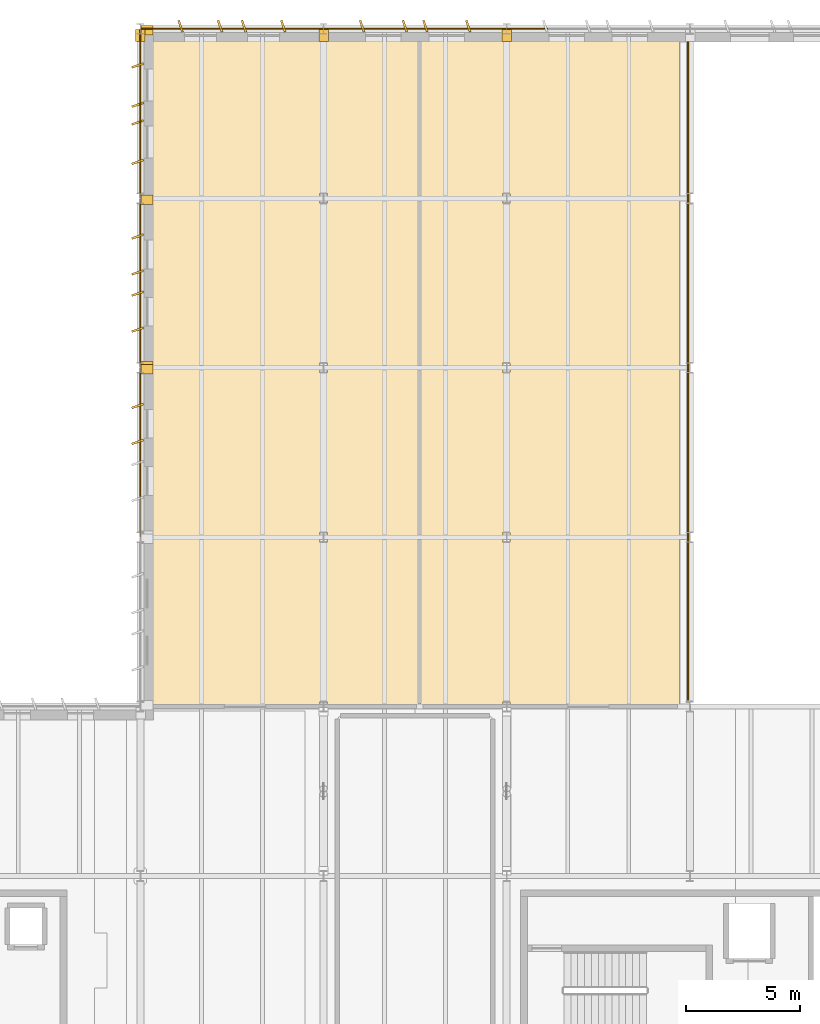
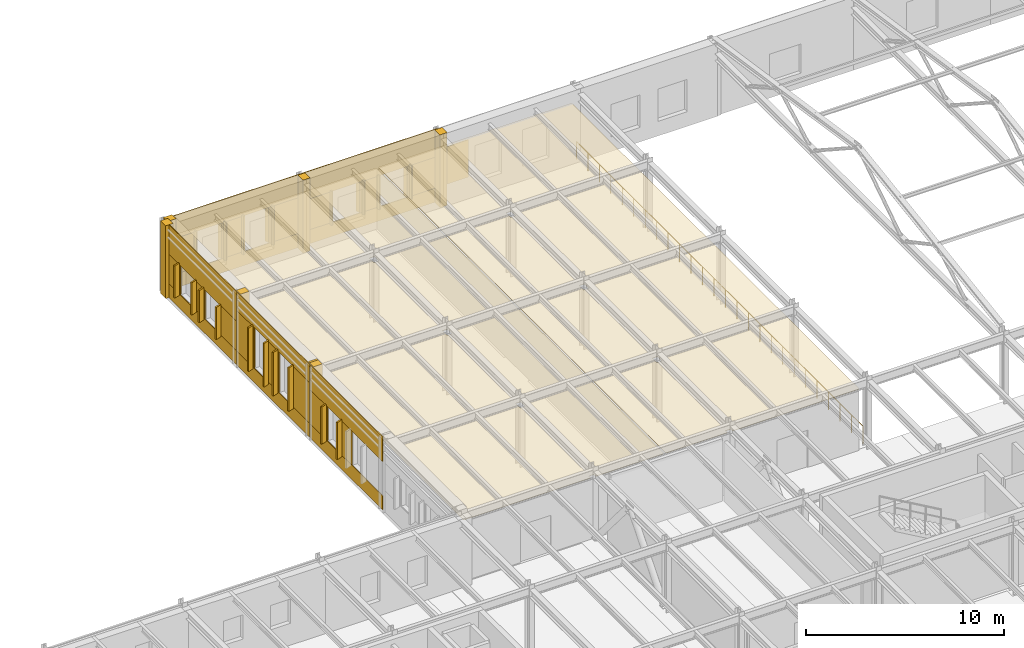
# One storey, part 69 of 75: 52 coverings, 1 railing.
"""IFC4 building model written with IfcOpenShell, lengths in metres."""

from ifc_helpers import new_model, si_unit, direction, frame, frame_2d, origin, origin_2d, place, context, subcontext, project, spatial, polyline, rectangle, circle, outline, extrude, material, layer, layer_set, type_object, element, save


model = new_model("IFC4")

# Units and contexts
model_context = context("Model", 3, precision=1e-05, world=origin(), true_north=direction((0.0, 1.0)))
body_context = subcontext(model_context, "Body", "Model", "MODEL_VIEW")
ifc_project = project(units=[si_unit("LENGTHUNIT", "METRE"), si_unit("AREAUNIT", "SQUARE_METRE"), si_unit("VOLUMEUNIT", "CUBIC_METRE"), si_unit("PLANEANGLEUNIT", "RADIAN"), si_unit("MASSUNIT", "GRAM", prefix="KILO")], contexts=[model_context])

# Site, building, storey
site_placement = place(None, origin())
site = spatial("IfcSite", under=ifc_project, at=site_placement, CompositionType="ELEMENT")
building_placement = place(site_placement, origin())
building = spatial("IfcBuilding", under=site, at=building_placement, Name="Valkorina Park Police Headquarters", CompositionType="ELEMENT")
storey_placement = place(building_placement, frame((0.0, 0.0, 5.39990234375)))
storey = spatial("IfcBuildingStorey", under=building, at=storey_placement, Name="L02", CompositionType="ELEMENT", Elevation=5.39990234375)

# Coverings
ifc_material_1 = material(Name="Acoustic mineral board")
ifc_layer_1 = layer(ifc_material_1, 0.02490234375)
ifc_layer_set_1 = layer_set([ifc_layer_1], Name="Acoustic mineral board")
covering_type_1 = type_object("IfcCoveringType", Name="COV-CEILING-ACOUST", PredefinedType="CEILING", material=ifc_layer_set_1)
covering_1_placement = place(storey_placement, frame((0.0, 0.0, 3.6650390625)))
element("IfcCovering", 1, at=covering_1_placement, inside=storey, type_object=covering_type_1, Name="Patrol Shift Briefing Auditorium 1 Acoustic Suspended Ceiling", PredefinedType="CEILING", context=body_context, shape_type="SweptSolid", body=[
    extrude(outline(polyline([(108.95849609375, 81.50439453125), (108.959716796875, 81.51220703125), (108.9599609375, 81.52001953125), (108.9599609375, 110.47998046875), (108.959716796875, 110.48779296875), (108.95849609375, 110.49560546875), (108.95654296875, 110.503173828125), (108.953857421875, 110.510498046875), (108.95068359375, 110.517578125), (108.946533203125, 110.5244140625), (108.94189453125, 110.53076171875), (108.9365234375, 110.53662109375), (108.930908203125, 110.541748046875), (108.92431640625, 110.54638671875), (108.917724609375, 110.550537109375), (108.91064453125, 110.553955078125), (108.9033203125, 110.556640625), (108.8955078125, 110.55859375), (108.8876953125, 110.5595703125), (108.8798828125, 110.56005859375), (97.320068359375, 110.56005859375), (97.312255859375, 110.5595703125), (97.304443359375, 110.55859375), (97.296875, 110.556640625), (97.289306640625, 110.553955078125), (97.2822265625, 110.550537109375), (97.275634765625, 110.54638671875), (97.269287109375, 110.541748046875), (97.263427734375, 110.53662109375), (97.25830078125, 110.53076171875), (97.25341796875, 110.5244140625), (97.24951171875, 110.517578125), (97.24609375, 110.510498046875), (97.243408203125, 110.503173828125), (97.241455078125, 110.49560546875), (97.240478515625, 110.48779296875), (97.239990234375, 110.47998046875), (97.239990234375, 81.52001953125), (97.240478515625, 81.51220703125), (97.241455078125, 81.50439453125), (97.243408203125, 81.496826171875), (97.24609375, 81.489501953125), (97.24951171875, 81.482421875), (97.25341796875, 81.4755859375), (97.25830078125, 81.46923828125), (97.263427734375, 81.46337890625), (97.269287109375, 81.458251953125), (97.275634765625, 81.45361328125), (97.2822265625, 81.449462890625), (97.289306640625, 81.446044921875), (97.296875, 81.443359375), (97.304443359375, 81.44140625), (97.312255859375, 81.4404296875), (97.320068359375, 81.43994140625), (104.610107421875, 81.43994140625), (104.617919921875, 81.4404296875), (104.62548828125, 81.44140625), (104.63330078125, 81.443359375), (104.640625, 81.446044921875), (104.647705078125, 81.449462890625), (104.64990234375, 81.45068359375), (104.64990234375, 81.625), (104.949951171875, 81.625), (104.949951171875, 81.45068359375), (104.952392578125, 81.449462890625), (104.95947265625, 81.446044921875), (104.966796875, 81.443359375), (104.974365234375, 81.44140625), (104.982177734375, 81.4404296875), (104.989990234375, 81.43994140625), (108.8798828125, 81.43994140625), (108.8876953125, 81.4404296875), (108.8955078125, 81.44140625), (108.9033203125, 81.443359375), (108.91064453125, 81.446044921875), (108.917724609375, 81.449462890625), (108.92431640625, 81.45361328125), (108.930908203125, 81.458251953125), (108.9365234375, 81.46337890625), (108.94189453125, 81.46923828125), (108.946533203125, 81.4755859375), (108.95068359375, 81.482421875), (108.953857421875, 81.489501953125), (108.95654296875, 81.496826171875), (108.95849609375, 81.50439453125)]), holes=[polyline([(104.949951171875, 95.97509765625), (104.64990234375, 95.97509765625), (104.64990234375, 96.425048828125), (104.949951171875, 96.425048828125), (104.949951171875, 95.97509765625)]), polyline([(104.949951171875, 88.574951171875), (104.64990234375, 88.574951171875), (104.64990234375, 89.02490234375), (104.949951171875, 89.02490234375), (104.949951171875, 88.574951171875)]), polyline([(104.949951171875, 103.375), (104.64990234375, 103.375), (104.64990234375, 103.824951171875), (104.949951171875, 103.824951171875), (104.949951171875, 103.375)])]), origin(), (0.0, 0.0, 1.0), 0.025146484375),
])
covering_2_placement = place(storey_placement, frame((0.0, 0.0, 3.6650390625)))
element("IfcCovering", 2, at=covering_2_placement, inside=storey, type_object=covering_type_1, Name="Patrol Shift Briefing Auditorium 2 Acoustic Suspended Ceiling", PredefinedType="CEILING", context=body_context, shape_type="SweptSolid", body=[
    extrude(outline(polyline([(120.3583984375, 81.50439453125), (120.359619140625, 81.51220703125), (120.360107421875, 81.52001953125), (120.360107421875, 110.47998046875), (120.359619140625, 110.48779296875), (120.3583984375, 110.49560546875), (120.356689453125, 110.503173828125), (120.35400390625, 110.510498046875), (120.3505859375, 110.517578125), (120.346435546875, 110.5244140625), (120.341796875, 110.53076171875), (120.336669921875, 110.53662109375), (120.330810546875, 110.541748046875), (120.324462890625, 110.54638671875), (120.317626953125, 110.550537109375), (120.310546875, 110.553955078125), (120.30322265625, 110.556640625), (120.295654296875, 110.55859375), (120.287841796875, 110.5595703125), (120.280029296875, 110.56005859375), (109.1201171875, 110.56005859375), (109.1123046875, 110.5595703125), (109.1044921875, 110.55859375), (109.0966796875, 110.556640625), (109.08935546875, 110.553955078125), (109.082275390625, 110.550537109375), (109.07568359375, 110.54638671875), (109.069091796875, 110.541748046875), (109.0634765625, 110.53662109375), (109.05810546875, 110.53076171875), (109.053466796875, 110.5244140625), (109.04931640625, 110.517578125), (109.046142578125, 110.510498046875), (109.04345703125, 110.503173828125), (109.04150390625, 110.49560546875), (109.040283203125, 110.48779296875), (109.0400390625, 110.47998046875), (109.0400390625, 81.52001953125), (109.040283203125, 81.51220703125), (109.04150390625, 81.50439453125), (109.04345703125, 81.496826171875), (109.046142578125, 81.489501953125), (109.04931640625, 81.482421875), (109.053466796875, 81.4755859375), (109.05810546875, 81.46923828125), (109.0634765625, 81.46337890625), (109.069091796875, 81.458251953125), (109.07568359375, 81.45361328125), (109.082275390625, 81.449462890625), (109.08935546875, 81.446044921875), (109.0966796875, 81.443359375), (109.1044921875, 81.44140625), (109.1123046875, 81.4404296875), (109.1201171875, 81.43994140625), (112.610107421875, 81.43994140625), (112.617919921875, 81.4404296875), (112.62548828125, 81.44140625), (112.63330078125, 81.443359375), (112.640625, 81.446044921875), (112.647705078125, 81.449462890625), (112.64990234375, 81.45068359375), (112.64990234375, 81.625), (112.949951171875, 81.625), (112.949951171875, 81.45068359375), (112.952392578125, 81.449462890625), (112.95947265625, 81.446044921875), (112.966796875, 81.443359375), (112.974365234375, 81.44140625), (112.982177734375, 81.4404296875), (112.989990234375, 81.43994140625), (120.280029296875, 81.43994140625), (120.287841796875, 81.4404296875), (120.295654296875, 81.44140625), (120.30322265625, 81.443359375), (120.310546875, 81.446044921875), (120.317626953125, 81.449462890625), (120.324462890625, 81.45361328125), (120.330810546875, 81.458251953125), (120.336669921875, 81.46337890625), (120.341796875, 81.46923828125), (120.346435546875, 81.4755859375), (120.3505859375, 81.482421875), (120.35400390625, 81.489501953125), (120.356689453125, 81.496826171875), (120.3583984375, 81.50439453125)]), holes=[polyline([(112.949951171875, 103.824951171875), (112.949951171875, 103.375), (112.64990234375, 103.375), (112.64990234375, 103.824951171875), (112.949951171875, 103.824951171875)]), polyline([(112.949951171875, 88.574951171875), (112.64990234375, 88.574951171875), (112.64990234375, 89.02490234375), (112.949951171875, 89.02490234375), (112.949951171875, 88.574951171875)]), polyline([(112.949951171875, 95.97509765625), (112.64990234375, 95.97509765625), (112.64990234375, 96.425048828125), (112.949951171875, 96.425048828125), (112.949951171875, 95.97509765625)])]), origin(), (0.0, 0.0, 1.0), 0.025146484375),
])
ifc_material_2 = material(Name="Precast concrete C40/50", Category="concrete")
ifc_layer_2 = layer(ifc_material_2, 0.044921875)
ifc_layer_set_2 = layer_set([ifc_layer_2], Name="Precast concrete C40/50")
covering_type_2 = type_object("IfcCoveringType", Name="COV-CLAD-DOLOMITE", PredefinedType="CLADDING", material=ifc_layer_set_2)
covering_3_placement = place(storey_placement, frame((97.090087890625, 96.135009765625, 0.0), z_axis=(0.0, 0.0, 1.0), x_axis=(0.0, 1.0, 0.0)))
element("IfcCovering", 3, at=covering_3_placement, inside=storey, type_object=covering_type_2, Name="L02 Exterior Joint Closure Pilaster B 1304", PredefinedType="CLADDING", context=body_context, shape_type="SweptSolid", body=[
    extrude(rectangle(XDim=0.419921875, YDim=0.52197265625, at=origin_2d()), origin(), (0.0, 0.0, 1.0), 4.5),
])
for number, where, z_axis, x_axis, name in (
    (4, (96.679931640625, 92.96240234375, 0.780029296875), (0.0, 0.0, 1.0), (-0.948323655206, -0.317304656405, 0.0), "Slanted 18.5-deg Precast Window Slot Fin 1307"),
    (5, (96.679931640625, 94.532470703125, 0.780029296875), (0.0, 0.0, 1.0), (-0.948323655206, -0.317304656405, 0.0), "Slanted 18.5-deg Precast Window Slot Fin 1308"),
):
    element("IfcCovering", number, at=place(storey_placement, frame(where, z_axis=z_axis, x_axis=x_axis)), inside=storey, type_object=covering_type_2, Name=name, PredefinedType="CLADDING", context=body_context, shape_type="SweptSolid", body=[
        extrude(rectangle(XDim=0.5400390625, YDim=0.090087890625, at=origin_2d()), origin(), (0.0, 0.0, 1.0), 2.2900390625),
    ])
covering_4_placement = place(storey_placement, frame((96.784912109375, 88.820068359375, 0.0), z_axis=(0.0, 0.0, 1.0), x_axis=(0.0, 1.0, 0.0)))
element("IfcCovering", 6, at=covering_4_placement, inside=storey, type_object=covering_type_2, Name="L02 Calm Concrete Base Sill Spandrel 1309", PredefinedType="CLADDING", context=body_context, shape_type="SweptSolid", body=[
    extrude(rectangle(XDim=7.35986328125, YDim=0.044921875, at=frame_2d((3.679931640625, 0.0))), origin(), (0.0, 0.0, 1.0), 0.8701171875),
])
covering_5_placement = place(storey_placement, frame((96.784912109375, 88.820068359375, 2.97998046875), z_axis=(0.0, 0.0, 1.0), x_axis=(0.0, 1.0, 0.0)))
element("IfcCovering", 7, at=covering_5_placement, inside=storey, type_object=covering_type_2, Name="L02 Calm Concrete Base Lintel Spandrel 1310", PredefinedType="CLADDING", context=body_context, shape_type="SweptSolid", body=[
    extrude(rectangle(XDim=7.35986328125, YDim=0.044921875, at=frame_2d((3.679931640625, 0.0))), origin(), (0.0, 0.0, 1.0), 1.52001953125),
])
covering_6_placement = place(storey_placement, frame((96.784912109375, 91.927490234375, 0.8701171875), z_axis=(0.0, 0.0, 1.0), x_axis=(0.0, 1.0, 0.0)))
element("IfcCovering", 8, at=covering_6_placement, inside=storey, type_object=covering_type_2, Name="L02 Calm Concrete Base Slot Pier 1312", PredefinedType="CLADDING", context=body_context, shape_type="SweptSolid", body=[
    extrude(rectangle(XDim=1.14501953125, YDim=0.044921875, at=frame_2d((0.572509765625, 0.0))), origin(), (0.0, 0.0, 1.0), 2.10986328125),
])
covering_7_placement = place(storey_placement, frame((96.784912109375, 94.42236328125, 0.8701171875), z_axis=(0.0, 0.0, 1.0), x_axis=(0.0, 1.0, 0.0)))
element("IfcCovering", 9, at=covering_7_placement, inside=storey, type_object=covering_type_2, Name="L02 Calm Concrete Base Slot Pier 1313", PredefinedType="CLADDING", context=body_context, shape_type="SweptSolid", body=[
    extrude(rectangle(XDim=1.757568359375, YDim=0.044921875, at=frame_2d((0.87890625, 0.0))), origin(), (0.0, 0.0, 1.0), 2.10986328125),
])
for number, where, z_axis, x_axis, name in (
    (10, (97.090087890625, 96.264892578125, 0.0), (0.0, 0.0, 1.0), (0.0, 1.0, 0.0), "L02 Exterior Joint Closure Pilaster A 1314"),
    (11, (97.090087890625, 103.534912109375, 0.0), (0.0, 0.0, 1.0), (0.0, 1.0, 0.0), "L02 Exterior Joint Closure Pilaster B 1315"),
):
    element("IfcCovering", number, at=place(storey_placement, frame(where, z_axis=z_axis, x_axis=x_axis)), inside=storey, type_object=covering_type_2, Name=name, PredefinedType="CLADDING", context=body_context, shape_type="SweptSolid", body=[
        extrude(rectangle(XDim=0.419921875, YDim=0.52197265625, at=origin_2d()), origin(), (0.0, 0.0, 1.0), 4.5),
    ])
for number, where, z_axis, x_axis, name in (
    (12, (96.679931640625, 97.86767578125, 0.780029296875), (0.0, 0.0, 1.0), (-0.948323655206, -0.317304656405, 0.0), "Slanted 18.5-deg Precast Window Slot Fin 1316"),
    (13, (96.679931640625, 99.4375, 0.780029296875), (0.0, 0.0, 1.0), (-0.948323655206, -0.317304656405, 0.0), "Slanted 18.5-deg Precast Window Slot Fin 1317"),
    (14, (96.679931640625, 100.3623046875, 0.780029296875), (0.0, 0.0, 1.0), (-0.948323655206, -0.317304656405, 0.0), "Slanted 18.5-deg Precast Window Slot Fin 1318"),
    (15, (96.679931640625, 101.932373046875, 0.780029296875), (0.0, 0.0, 1.0), (-0.948323655206, -0.317304656405, 0.0), "Slanted 18.5-deg Precast Window Slot Fin 1319"),
):
    element("IfcCovering", number, at=place(storey_placement, frame(where, z_axis=z_axis, x_axis=x_axis)), inside=storey, type_object=covering_type_2, Name=name, PredefinedType="CLADDING", context=body_context, shape_type="SweptSolid", body=[
        extrude(rectangle(XDim=0.5400390625, YDim=0.090087890625, at=origin_2d()), origin(), (0.0, 0.0, 1.0), 2.68994140625),
    ])
covering_8_placement = place(storey_placement, frame((96.784912109375, 96.219970703125, 0.0), z_axis=(0.0, 0.0, 1.0), x_axis=(0.0, 1.0, 0.0)))
element("IfcCovering", 16, at=covering_8_placement, inside=storey, type_object=covering_type_2, Name="L02 Calm Concrete Base Sill Spandrel 1320", PredefinedType="CLADDING", context=body_context, shape_type="SweptSolid", body=[
    extrude(rectangle(XDim=7.360107421875, YDim=0.044921875, at=frame_2d((3.68017578125, 0.0))), origin(), (0.0, 0.0, 1.0), 0.8701171875),
])
covering_9_placement = place(storey_placement, frame((96.784912109375, 96.219970703125, 3.380126953125), z_axis=(0.0, 0.0, 1.0), x_axis=(0.0, 1.0, 0.0)))
element("IfcCovering", 17, at=covering_9_placement, inside=storey, type_object=covering_type_2, Name="L02 Calm Concrete Base Lintel Spandrel 1321", PredefinedType="CLADDING", context=body_context, shape_type="SweptSolid", body=[
    extrude(rectangle(XDim=7.360107421875, YDim=0.044921875, at=frame_2d((3.68017578125, 0.0))), origin(), (0.0, 0.0, 1.0), 1.119873046875),
])
covering_10_placement = place(storey_placement, frame((96.784912109375, 96.219970703125, 0.8701171875), z_axis=(0.0, 0.0, 1.0), x_axis=(0.0, 1.0, 0.0)))
element("IfcCovering", 18, at=covering_10_placement, inside=storey, type_object=covering_type_2, Name="L02 Calm Concrete Base Slot Pier 1322", PredefinedType="CLADDING", context=body_context, shape_type="SweptSolid", body=[
    extrude(rectangle(XDim=1.757568359375, YDim=0.044921875, at=frame_2d((0.87890625, 0.0))), origin(), (0.0, 0.0, 1.0), 2.510009765625),
])
covering_11_placement = place(storey_placement, frame((96.784912109375, 99.32763671875, 0.8701171875), z_axis=(0.0, 0.0, 1.0), x_axis=(0.0, 1.0, 0.0)))
element("IfcCovering", 19, at=covering_11_placement, inside=storey, type_object=covering_type_2, Name="L02 Calm Concrete Base Slot Pier 1323", PredefinedType="CLADDING", context=body_context, shape_type="SweptSolid", body=[
    extrude(rectangle(XDim=1.144775390625, YDim=0.044921875, at=frame_2d((0.572265625, 0.0))), origin(), (0.0, 0.0, 1.0), 2.510009765625),
])
covering_12_placement = place(storey_placement, frame((96.784912109375, 101.822509765625, 0.8701171875), z_axis=(0.0, 0.0, 1.0), x_axis=(0.0, 1.0, 0.0)))
element("IfcCovering", 20, at=covering_12_placement, inside=storey, type_object=covering_type_2, Name="L02 Calm Concrete Base Slot Pier 1324", PredefinedType="CLADDING", context=body_context, shape_type="SweptSolid", body=[
    extrude(rectangle(XDim=1.757568359375, YDim=0.044921875, at=frame_2d((0.87890625, 0.0))), origin(), (0.0, 0.0, 1.0), 2.510009765625),
])
covering_13_placement = place(storey_placement, frame((97.090087890625, 110.93505859375, 0.0), z_axis=(0.0, 0.0, 1.0), x_axis=(0.0, 1.0, 0.0)))
element("IfcCovering", 21, at=covering_13_placement, inside=storey, type_object=covering_type_2, Name="L02 Exterior Joint Closure Pilaster B 1325", PredefinedType="CLADDING", context=body_context, shape_type="SweptSolid", body=[
    extrude(rectangle(XDim=0.419921875, YDim=0.52197265625, at=origin_2d()), origin(), (0.0, 0.0, 1.0), 4.5),
])
for number, where, z_axis, x_axis, name in (
    (22, (96.679931640625, 105.192626953125, 0.7802734375), (0.0, 0.0, 1.0), (-0.948323655206, -0.317304656405, 0.0), "Slanted 18.5-deg Precast Window Slot Fin 1326"),
    (23, (96.679931640625, 106.91259765625, 0.7802734375), (0.0, 0.0, 1.0), (-0.948323655206, -0.317304656405, 0.0), "Slanted 18.5-deg Precast Window Slot Fin 1327"),
    (24, (96.679931640625, 107.6875, 0.7802734375), (0.0, 0.0, 1.0), (-0.948323655206, -0.317304656405, 0.0), "Slanted 18.5-deg Precast Window Slot Fin 1328"),
    (25, (96.679931640625, 109.407470703125, 0.7802734375), (0.0, 0.0, 1.0), (-0.948323655206, -0.317304656405, 0.0), "Slanted 18.5-deg Precast Window Slot Fin 1329"),
):
    element("IfcCovering", number, at=place(storey_placement, frame(where, z_axis=z_axis, x_axis=x_axis)), inside=storey, type_object=covering_type_2, Name=name, PredefinedType="CLADDING", context=body_context, shape_type="SweptSolid", body=[
        extrude(rectangle(XDim=0.5400390625, YDim=0.090087890625, at=origin_2d()), origin(), (0.0, 0.0, 1.0), 1.989990234375),
    ])
covering_14_placement = place(storey_placement, frame((96.784912109375, 103.6201171875, 0.0), z_axis=(0.0, 0.0, 1.0), x_axis=(0.0, 1.0, 0.0)))
element("IfcCovering", 26, at=covering_14_placement, inside=storey, type_object=covering_type_2, Name="L02 Calm Concrete Base Sill Spandrel 1330", PredefinedType="CLADDING", context=body_context, shape_type="SweptSolid", body=[
    extrude(rectangle(XDim=7.35986328125, YDim=0.044921875, at=frame_2d((3.679931640625, 0.0))), origin(), (0.0, 0.0, 1.0), 0.8701171875),
])
covering_15_placement = place(storey_placement, frame((96.784912109375, 103.6201171875, 2.68017578125), z_axis=(0.0, 0.0, 1.0), x_axis=(0.0, 1.0, 0.0)))
element("IfcCovering", 27, at=covering_15_placement, inside=storey, type_object=covering_type_2, Name="L02 Calm Concrete Base Lintel Spandrel 1331", PredefinedType="CLADDING", context=body_context, shape_type="SweptSolid", body=[
    extrude(rectangle(XDim=7.35986328125, YDim=0.044921875, at=frame_2d((3.679931640625, 0.0))), origin(), (0.0, 0.0, 1.0), 1.81982421875),
])
covering_16_placement = place(storey_placement, frame((96.784912109375, 103.6201171875, 0.8701171875), z_axis=(0.0, 0.0, 1.0), x_axis=(0.0, 1.0, 0.0)))
element("IfcCovering", 28, at=covering_16_placement, inside=storey, type_object=covering_type_2, Name="L02 Calm Concrete Base Slot Pier 1332", PredefinedType="CLADDING", context=body_context, shape_type="SweptSolid", body=[
    extrude(rectangle(XDim=1.682373046875, YDim=0.044921875, at=frame_2d((0.84130859375, 0.0))), origin(), (0.0, 0.0, 1.0), 1.81005859375),
])
covering_17_placement = place(storey_placement, frame((96.784912109375, 106.802490234375, 0.8701171875), z_axis=(0.0, 0.0, 1.0), x_axis=(0.0, 1.0, 0.0)))
element("IfcCovering", 29, at=covering_17_placement, inside=storey, type_object=covering_type_2, Name="L02 Calm Concrete Base Slot Pier 1333", PredefinedType="CLADDING", context=body_context, shape_type="SweptSolid", body=[
    extrude(rectangle(XDim=0.994873046875, YDim=0.044921875, at=frame_2d((0.49755859375, 0.0))), origin(), (0.0, 0.0, 1.0), 1.81005859375),
])
covering_18_placement = place(storey_placement, frame((96.784912109375, 109.29736328125, 0.8701171875), z_axis=(0.0, 0.0, 1.0), x_axis=(0.0, 1.0, 0.0)))
element("IfcCovering", 30, at=covering_18_placement, inside=storey, type_object=covering_type_2, Name="L02 Calm Concrete Base Slot Pier 1334", PredefinedType="CLADDING", context=body_context, shape_type="SweptSolid", body=[
    extrude(rectangle(XDim=1.6826171875, YDim=0.044921875, at=frame_2d((0.84130859375, 0.0))), origin(), (0.0, 0.0, 1.0), 1.81005859375),
])
for number, where, z_axis, x_axis, name in (
    (31, (96.7900390625, 110.7099609375, 0.0), (0.0, 0.0, 1.0), (1.0, 0.0, 0.0), "L02 Exterior Joint Closure Pilaster A 1335"),
    (32, (104.81005859375, 110.7099609375, 0.0), (0.0, 0.0, 1.0), (1.0, 0.0, 0.0), "L02 Exterior Joint Closure Pilaster B 1336"),
):
    element("IfcCovering", number, at=place(storey_placement, frame(where, z_axis=z_axis, x_axis=x_axis)), inside=storey, type_object=covering_type_2, Name=name, PredefinedType="CLADDING", context=body_context, shape_type="SweptSolid", body=[
        extrude(rectangle(XDim=0.419921875, YDim=0.52197265625, at=origin_2d()), origin(), (0.0, 0.0, 1.0), 4.5),
    ])
for number, where, z_axis, x_axis, name in (
    (33, (98.5576171875, 111.1201171875, 0.7802734375), (0.0, 0.0, 1.0), (-0.317304656405, 0.948323655206, 0.0), "Slanted 18.5-deg Precast Window Slot Fin 1337"),
    (34, (100.277587890625, 111.1201171875, 0.7802734375), (0.0, 0.0, 1.0), (-0.317304656405, 0.948323655206, 0.0), "Slanted 18.5-deg Precast Window Slot Fin 1338"),
    (35, (101.322509765625, 111.1201171875, 0.7802734375), (0.0, 0.0, 1.0), (-0.317304656405, 0.948323655206, 0.0), "Slanted 18.5-deg Precast Window Slot Fin 1339"),
    (36, (103.04248046875, 111.1201171875, 0.7802734375), (0.0, 0.0, 1.0), (-0.317304656405, 0.948323655206, 0.0), "Slanted 18.5-deg Precast Window Slot Fin 1340"),
):
    element("IfcCovering", number, at=place(storey_placement, frame(where, z_axis=z_axis, x_axis=x_axis)), inside=storey, type_object=covering_type_2, Name=name, PredefinedType="CLADDING", context=body_context, shape_type="SweptSolid", body=[
        extrude(rectangle(XDim=0.5400390625, YDim=0.090087890625, at=origin_2d()), origin(), (0.0, 0.0, 1.0), 2.389892578125),
    ])
covering_19_placement = place(storey_placement, frame((96.820068359375, 111.014892578125, 0.0), z_axis=(0.0, 0.0, 1.0), x_axis=(1.0, 0.0, 0.0)))
element("IfcCovering", 37, at=covering_19_placement, inside=storey, type_object=covering_type_2, Name="L02 Calm Concrete Base Sill Spandrel 1341", PredefinedType="CLADDING", context=body_context, shape_type="SweptSolid", body=[
    extrude(rectangle(XDim=7.9599609375, YDim=0.044921875, at=frame_2d((3.97998046875, 0.0))), origin(), (0.0, 0.0, 1.0), 0.8701171875),
])
covering_20_placement = place(storey_placement, frame((96.820068359375, 111.014892578125, 3.080078125), z_axis=(0.0, 0.0, 1.0), x_axis=(1.0, 0.0, 0.0)))
element("IfcCovering", 38, at=covering_20_placement, inside=storey, type_object=covering_type_2, Name="L02 Calm Concrete Base Lintel Spandrel 1342", PredefinedType="CLADDING", context=body_context, shape_type="SweptSolid", body=[
    extrude(rectangle(XDim=7.9599609375, YDim=0.044921875, at=frame_2d((3.97998046875, 0.0))), origin(), (0.0, 0.0, 1.0), 1.419921875),
])
covering_21_placement = place(storey_placement, frame((96.820068359375, 111.014892578125, 0.8701171875), z_axis=(0.0, 0.0, 1.0), x_axis=(1.0, 0.0, 0.0)))
element("IfcCovering", 39, at=covering_21_placement, inside=storey, type_object=covering_type_2, Name="L02 Calm Concrete Base Slot Pier 1343", PredefinedType="CLADDING", context=body_context, shape_type="SweptSolid", body=[
    extrude(rectangle(XDim=1.847412109375, YDim=0.044921875, at=frame_2d((0.923828125, 0.0))), origin(), (0.0, 0.0, 1.0), 2.2099609375),
])
covering_22_placement = place(storey_placement, frame((100.16748046875, 111.014892578125, 0.8701171875), z_axis=(0.0, 0.0, 1.0), x_axis=(1.0, 0.0, 0.0)))
element("IfcCovering", 40, at=covering_22_placement, inside=storey, type_object=covering_type_2, Name="L02 Calm Concrete Base Slot Pier 1344", PredefinedType="CLADDING", context=body_context, shape_type="SweptSolid", body=[
    extrude(rectangle(XDim=1.264892578125, YDim=0.044921875, at=frame_2d((0.63232421875, 0.0))), origin(), (0.0, 0.0, 1.0), 2.2099609375),
])
covering_23_placement = place(storey_placement, frame((102.932373046875, 111.014892578125, 0.8701171875), z_axis=(0.0, 0.0, 1.0), x_axis=(1.0, 0.0, 0.0)))
element("IfcCovering", 41, at=covering_23_placement, inside=storey, type_object=covering_type_2, Name="L02 Calm Concrete Base Slot Pier 1345", PredefinedType="CLADDING", context=body_context, shape_type="SweptSolid", body=[
    extrude(rectangle(XDim=1.84765625, YDim=0.044921875, at=frame_2d((0.923828125, 0.0))), origin(), (0.0, 0.0, 1.0), 2.2099609375),
])
covering_24_placement = place(storey_placement, frame((112.81005859375, 110.7099609375, 0.0), z_axis=(0.0, 0.0, 1.0), x_axis=(1.0, 0.0, 0.0)))
element("IfcCovering", 42, at=covering_24_placement, inside=storey, type_object=covering_type_2, Name="L02 Exterior Joint Closure Pilaster B 1346", PredefinedType="CLADDING", context=body_context, shape_type="SweptSolid", body=[
    extrude(rectangle(XDim=0.419921875, YDim=0.52197265625, at=origin_2d()), origin(), (0.0, 0.0, 1.0), 4.5),
])
for number, where, z_axis, x_axis, name in (
    (43, (106.482666015625, 111.1201171875, 0.7802734375), (0.0, 0.0, 1.0), (-0.317304656405, 0.948323655206, 0.0), "Slanted 18.5-deg Precast Window Slot Fin 1347"),
    (44, (108.3525390625, 111.1201171875, 0.7802734375), (0.0, 0.0, 1.0), (-0.317304656405, 0.948323655206, 0.0), "Slanted 18.5-deg Precast Window Slot Fin 1348"),
    (45, (109.247314453125, 111.1201171875, 0.7802734375), (0.0, 0.0, 1.0), (-0.317304656405, 0.948323655206, 0.0), "Slanted 18.5-deg Precast Window Slot Fin 1349"),
    (46, (111.117431640625, 111.1201171875, 0.7802734375), (0.0, 0.0, 1.0), (-0.317304656405, 0.948323655206, 0.0), "Slanted 18.5-deg Precast Window Slot Fin 1350"),
):
    element("IfcCovering", number, at=place(storey_placement, frame(where, z_axis=z_axis, x_axis=x_axis)), inside=storey, type_object=covering_type_2, Name=name, PredefinedType="CLADDING", context=body_context, shape_type="SweptSolid", body=[
        extrude(rectangle(XDim=0.5400390625, YDim=0.090087890625, at=origin_2d()), origin(), (0.0, 0.0, 1.0), 2.090087890625),
    ])
covering_25_placement = place(storey_placement, frame((104.820068359375, 111.014892578125, 0.0), z_axis=(0.0, 0.0, 1.0), x_axis=(1.0, 0.0, 0.0)))
element("IfcCovering", 47, at=covering_25_placement, inside=storey, type_object=covering_type_2, Name="L02 Calm Concrete Base Sill Spandrel 1351", PredefinedType="CLADDING", context=body_context, shape_type="SweptSolid", body=[
    extrude(rectangle(XDim=7.9599609375, YDim=0.044921875, at=frame_2d((3.97998046875, 0.0))), origin(), (0.0, 0.0, 1.0), 0.8701171875),
])
covering_26_placement = place(storey_placement, frame((104.820068359375, 111.014892578125, 2.780029296875), z_axis=(0.0, 0.0, 1.0), x_axis=(1.0, 0.0, 0.0)))
element("IfcCovering", 48, at=covering_26_placement, inside=storey, type_object=covering_type_2, Name="L02 Calm Concrete Base Lintel Spandrel 1352", PredefinedType="CLADDING", context=body_context, shape_type="SweptSolid", body=[
    extrude(rectangle(XDim=7.9599609375, YDim=0.044921875, at=frame_2d((3.97998046875, 0.0))), origin(), (0.0, 0.0, 1.0), 1.719970703125),
])
covering_27_placement = place(storey_placement, frame((104.820068359375, 111.014892578125, 0.8701171875), z_axis=(0.0, 0.0, 1.0), x_axis=(1.0, 0.0, 0.0)))
element("IfcCovering", 49, at=covering_27_placement, inside=storey, type_object=covering_type_2, Name="L02 Calm Concrete Base Slot Pier 1353", PredefinedType="CLADDING", context=body_context, shape_type="SweptSolid", body=[
    extrude(rectangle(XDim=1.7724609375, YDim=0.044921875, at=frame_2d((0.88623046875, 0.0))), origin(), (0.0, 0.0, 1.0), 1.909912109375),
])
covering_28_placement = place(storey_placement, frame((108.24267578125, 111.014892578125, 0.8701171875), z_axis=(0.0, 0.0, 1.0), x_axis=(1.0, 0.0, 0.0)))
element("IfcCovering", 50, at=covering_28_placement, inside=storey, type_object=covering_type_2, Name="L02 Calm Concrete Base Slot Pier 1354", PredefinedType="CLADDING", context=body_context, shape_type="SweptSolid", body=[
    extrude(rectangle(XDim=1.11474609375, YDim=0.044921875, at=frame_2d((0.557373046875, 0.0))), origin(), (0.0, 0.0, 1.0), 1.909912109375),
])
covering_29_placement = place(storey_placement, frame((111.00732421875, 111.014892578125, 0.8701171875), z_axis=(0.0, 0.0, 1.0), x_axis=(1.0, 0.0, 0.0)))
element("IfcCovering", 51, at=covering_29_placement, inside=storey, type_object=covering_type_2, Name="L02 Calm Concrete Base Slot Pier 1355", PredefinedType="CLADDING", context=body_context, shape_type="SweptSolid", body=[
    extrude(rectangle(XDim=1.772705078125, YDim=0.044921875, at=frame_2d((0.88623046875, 0.0))), origin(), (0.0, 0.0, 1.0), 1.909912109375),
])
covering_30_placement = place(storey_placement, frame((112.820068359375, 111.014892578125, 0.8701171875), z_axis=(0.0, 0.0, 1.0), x_axis=(1.0, 0.0, 0.0)))
element("IfcCovering", 52, at=covering_30_placement, inside=storey, type_object=covering_type_2, Name="L02 Calm Concrete Base Slot Pier 1363", PredefinedType="CLADDING", context=body_context, shape_type="SweptSolid", body=[
    extrude(rectangle(XDim=1.7724609375, YDim=0.044921875, at=frame_2d((0.88623046875, 0.0))), origin(), (0.0, 0.0, 1.0), 2.31005859375),
])

# Railing
ifc_material_3 = material(Name="Stainless steel EN 1.4404", Category="steel")
railing_type = type_object("IfcRailingType", Name="RL-GUARD-INT-1100", PredefinedType="BALUSTRADE", material=ifc_material_3)
railing_placement = place(storey_placement, frame((120.719970703125, 81.699951171875, 0.0)))
element("IfcRailing", 53, at=railing_placement, inside=storey, type_object=railing_type, Name="V3 Briefing Mezzanine Overlook Balustrade", PredefinedType="BALUSTRADE", context=body_context, shape_type="SweptSolid", body=[
    extrude(circle(Radius=0.02392578125, at=origin_2d()), frame((0.0, 0.0, 1.09619140625), z_axis=(0.0, 1.0, 0.0), x_axis=(-1.0, 0.0, 0.0)), (0.0, 0.0, 1.0), 29.0),
    extrude(circle(Radius=0.02099609375, at=origin_2d()), origin(), (0.0, 0.0, 1.0), 1.072021484375),
    extrude(circle(Radius=0.02099609375, at=origin_2d()), frame((0.0, 1.159912109375, 0.0)), (0.0, 0.0, 1.0), 1.072021484375),
    extrude(circle(Radius=0.02099609375, at=origin_2d()), frame((0.0, 2.320068359375, 0.0)), (0.0, 0.0, 1.0), 1.072021484375),
    extrude(circle(Radius=0.02099609375, at=origin_2d()), frame((0.0, 3.47998046875, 0.0)), (0.0, 0.0, 1.0), 1.072021484375),
    extrude(circle(Radius=0.02099609375, at=origin_2d()), frame((0.0, 4.639892578125, 0.0)), (0.0, 0.0, 1.0), 1.072021484375),
    extrude(circle(Radius=0.02099609375, at=origin_2d()), frame((0.0, 5.800048828125, 0.0)), (0.0, 0.0, 1.0), 1.072021484375),
    extrude(circle(Radius=0.02099609375, at=origin_2d()), frame((0.0, 6.9599609375, 0.0)), (0.0, 0.0, 1.0), 1.072021484375),
    extrude(circle(Radius=0.02099609375, at=origin_2d()), frame((0.0, 8.1201171875, 0.0)), (0.0, 0.0, 1.0), 1.072021484375),
    extrude(circle(Radius=0.02099609375, at=origin_2d()), frame((0.0, 9.280029296875, 0.0)), (0.0, 0.0, 1.0), 1.072021484375),
    extrude(circle(Radius=0.02099609375, at=origin_2d()), frame((0.0, 10.43994140625, 0.0)), (0.0, 0.0, 1.0), 1.072021484375),
    extrude(circle(Radius=0.02099609375, at=origin_2d()), frame((0.0, 11.60009765625, 0.0)), (0.0, 0.0, 1.0), 1.072021484375),
    extrude(circle(Radius=0.02099609375, at=origin_2d()), frame((0.0, 12.760009765625, 0.0)), (0.0, 0.0, 1.0), 1.072021484375),
    extrude(circle(Radius=0.02099609375, at=origin_2d()), frame((0.0, 13.919921875, 0.0)), (0.0, 0.0, 1.0), 1.072021484375),
    extrude(circle(Radius=0.02099609375, at=origin_2d()), frame((0.0, 15.080078125, 0.0)), (0.0, 0.0, 1.0), 1.072021484375),
    extrude(circle(Radius=0.02099609375, at=origin_2d()), frame((0.0, 16.239990234375, 0.0)), (0.0, 0.0, 1.0), 1.072021484375),
    extrude(circle(Radius=0.02099609375, at=origin_2d()), frame((0.0, 17.39990234375, 0.0)), (0.0, 0.0, 1.0), 1.072021484375),
    extrude(circle(Radius=0.02099609375, at=origin_2d()), frame((0.0, 18.56005859375, 0.0)), (0.0, 0.0, 1.0), 1.072021484375),
    extrude(circle(Radius=0.02099609375, at=origin_2d()), frame((0.0, 19.719970703125, 0.0)), (0.0, 0.0, 1.0), 1.072021484375),
    extrude(circle(Radius=0.02099609375, at=origin_2d()), frame((0.0, 20.8798828125, 0.0)), (0.0, 0.0, 1.0), 1.072021484375),
    extrude(circle(Radius=0.02099609375, at=origin_2d()), frame((0.0, 22.0400390625, 0.0)), (0.0, 0.0, 1.0), 1.072021484375),
    extrude(circle(Radius=0.02099609375, at=origin_2d()), frame((0.0, 23.199951171875, 0.0)), (0.0, 0.0, 1.0), 1.072021484375),
    extrude(circle(Radius=0.02099609375, at=origin_2d()), frame((0.0, 24.360107421875, 0.0)), (0.0, 0.0, 1.0), 1.072021484375),
    extrude(circle(Radius=0.02099609375, at=origin_2d()), frame((0.0, 25.52001953125, 0.0)), (0.0, 0.0, 1.0), 1.072021484375),
    extrude(circle(Radius=0.02099609375, at=origin_2d()), frame((0.0, 26.679931640625, 0.0)), (0.0, 0.0, 1.0), 1.072021484375),
    extrude(circle(Radius=0.02099609375, at=origin_2d()), frame((0.0, 27.840087890625, 0.0)), (0.0, 0.0, 1.0), 1.072021484375),
    extrude(circle(Radius=0.02099609375, at=origin_2d()), frame((0.0, 29.0, 0.0)), (0.0, 0.0, 1.0), 1.072021484375),
])

save(model, "model.ifc")
